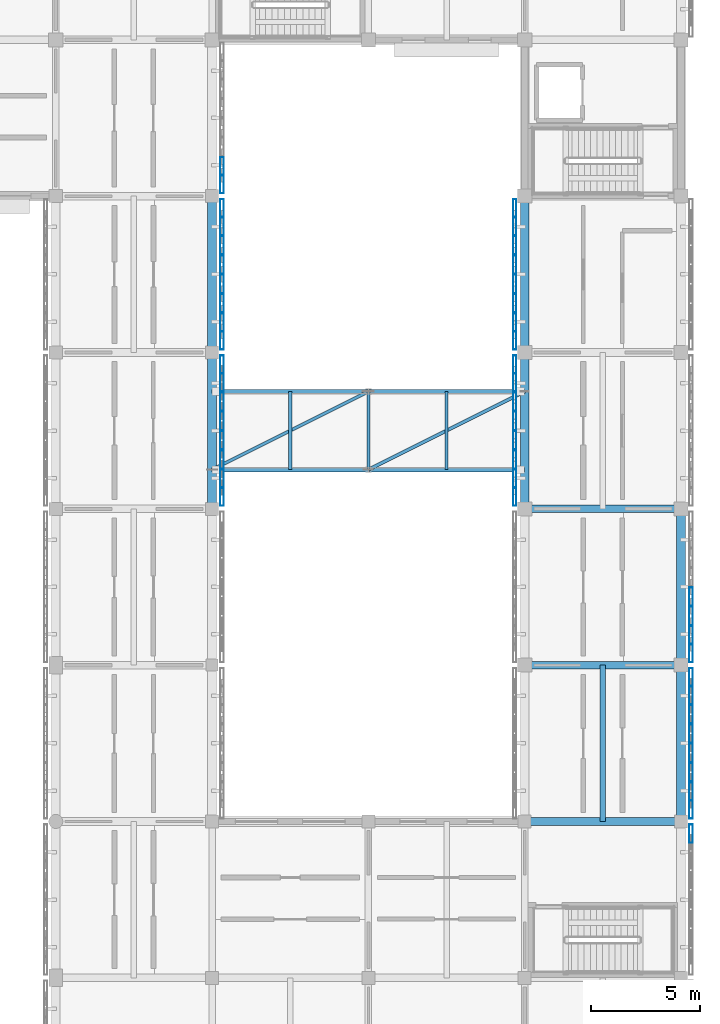
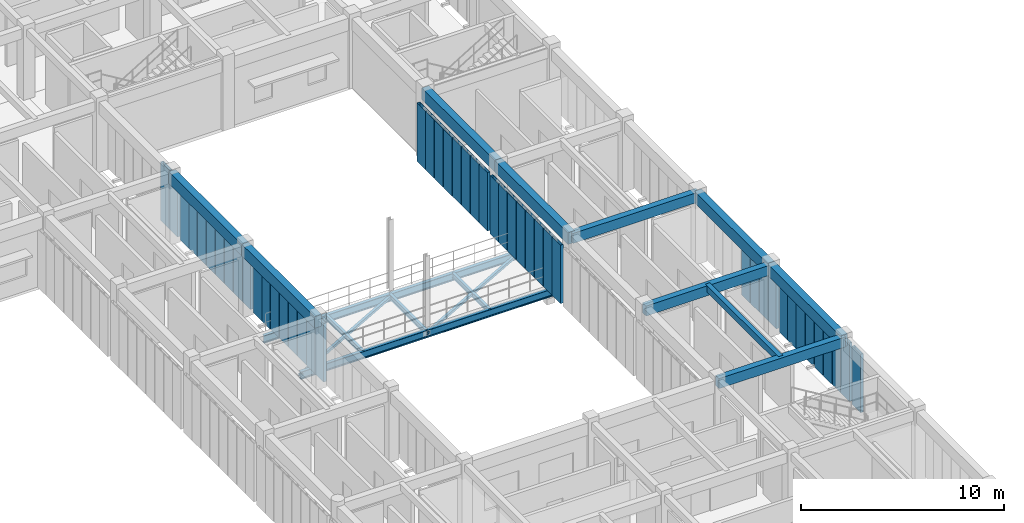
# One storey, part 66 of 171: 49 members, 17 beams, 8 elements without a shape of their own.
"""IFC4 building model written with IfcOpenShell, lengths in metres."""

from ifc_helpers import new_model, si_unit, direction, frame, origin, origin_2d, place, context, subcontext, project, spatial, rectangle, hollow_rectangle, i_section, extrude, material, material_profile, profile_set, type_object, element, aggregate, save


model = new_model("IFC4")

# Units and contexts
model_context = context("Model", 3, precision=1e-05, world=origin(), true_north=direction((0.0, 1.0)))
body_context = subcontext(model_context, "Body", "Model", "MODEL_VIEW")
ifc_project = project(units=[si_unit("LENGTHUNIT", "METRE"), si_unit("AREAUNIT", "SQUARE_METRE"), si_unit("VOLUMEUNIT", "CUBIC_METRE"), si_unit("PLANEANGLEUNIT", "RADIAN"), si_unit("MASSUNIT", "GRAM", prefix="KILO")], contexts=[model_context])

# Site, building, storey
site_placement = place(None, origin())
site = spatial("IfcSite", under=ifc_project, at=site_placement, CompositionType="ELEMENT")
building_placement = place(site_placement, origin())
building = spatial("IfcBuilding", under=site, at=building_placement, Name="Aldebral Square Health Centre", CompositionType="ELEMENT")
storey_placement = place(building_placement, frame((0.0, 0.0, 4.5)))
storey = spatial("IfcBuildingStorey", under=building, at=storey_placement, Name="L01", CompositionType="ELEMENT", Elevation=4.5)

# Beams
ifc_material_1 = material(Name="Concrete C40/50", Category="concrete")
ifc_material_profile_1 = material_profile(ifc_material_1, rectangle(XDim=0.35009765625, YDim=0.60009765625, at=origin_2d()), Name="RC 350x600")
ifc_profile_set_1 = profile_set([ifc_material_profile_1], Name="Concrete C40/50")
beam_type_1 = type_object("IfcBeamType", Name="BM-B2", PredefinedType="BEAM", material=ifc_profile_set_1)
for number, where, z_axis, x_axis, name in (
    (1, (158.39990234375, 64.800048828125, 3.919921875), (1.0, 0.0, 0.0), (0.0, 1.0, 0.0), "L01 X-beam 23-24/G10"),
    (2, (158.39990234375, 72.0, 3.919921875), (1.0, 0.0, 0.0), (0.0, 1.0, 0.0), "L01 X-beam 23-24/G11"),
    (3, (158.39990234375, 79.199951171875, 3.919921875), (1.0, 0.0, 0.0), (0.0, 1.0, 0.0), "L01 X-beam 23-24/G12"),
):
    element("IfcBeam", number, at=place(storey_placement, frame(where, z_axis=z_axis, x_axis=x_axis)), inside=storey, type_object=beam_type_1, Name=name, PredefinedType="BEAM", context=body_context, shape_type="SweptSolid", body=[
        extrude(rectangle(XDim=0.35009765625, YDim=0.60009765625, at=origin_2d()), origin(), (0.0, 0.0, 1.0), 7.2001953125),
    ])
ifc_material_profile_2 = material_profile(ifc_material_1, rectangle(XDim=0.25, YDim=0.39990234375, at=origin_2d()), Name="RC 250x400")
ifc_profile_set_2 = profile_set([ifc_material_profile_2], Name="Concrete C40/50")
beam_type_2 = type_object("IfcBeamType", Name="BM-B6", PredefinedType="JOIST", material=ifc_profile_set_2)
beam_1_placement = place(storey_placement, frame((162.0, 64.800048828125, 4.02001953125), z_axis=(0.0, 1.0, 0.0), x_axis=(-1.0, 0.0, 0.0)))
element("IfcBeam", 4, at=beam_1_placement, inside=storey, type_object=beam_type_2, Name="L01 secondary rib 23.10", PredefinedType="JOIST", context=body_context, shape_type="SweptSolid", body=[
    extrude(rectangle(XDim=0.25, YDim=0.39990234375, at=origin_2d()), origin(), (0.0, 0.0, 1.0), 7.199951171875),
])
ifc_material_profile_3 = material_profile(ifc_material_1, rectangle(XDim=0.39990234375, YDim=0.699951171875, at=origin_2d()), Name="RC 400x700")
ifc_profile_set_3 = profile_set([ifc_material_profile_3], Name="Concrete C40/50")
beam_type_3 = type_object("IfcBeamType", Name="BM-G3", PredefinedType="T_BEAM", material=ifc_profile_set_3)
beam_2_placement = place(storey_placement, frame((144.0, 79.199951171875, 3.8701171875), z_axis=(0.0, 1.0, 0.0), x_axis=(-1.0, 0.0, 0.0)))
element("IfcBeam", 5, at=beam_2_placement, inside=storey, type_object=beam_type_3, Name="L01 Y-beam G21/12-13", PredefinedType="T_BEAM", context=body_context, shape_type="SweptSolid", body=[
    extrude(rectangle(XDim=0.39990234375, YDim=0.699951171875, at=origin_2d()), origin(), (0.0, 0.0, 1.0), 7.199951171875),
])
beam_3_placement = place(storey_placement, frame((144.0, 86.39990234375, 3.8701171875), z_axis=(0.0, 1.0, 0.0), x_axis=(-1.0, 0.0, 0.0)))
element("IfcBeam", 6, at=beam_3_placement, inside=storey, type_object=beam_type_3, Name="L01 Y-beam G21/13-14", PredefinedType="T_BEAM", context=body_context, shape_type="SweptSolid", body=[
    extrude(rectangle(XDim=0.39990234375, YDim=0.699951171875, at=origin_2d()), origin(), (0.0, 0.0, 1.0), 7.2001953125),
])
beam_4_placement = place(storey_placement, frame((158.39990234375, 79.199951171875, 3.8701171875), z_axis=(0.0, 1.0, 0.0), x_axis=(-1.0, 0.0, 0.0)))
element("IfcBeam", 7, at=beam_4_placement, inside=storey, type_object=beam_type_3, Name="L01 Y-beam G23/12-13", PredefinedType="T_BEAM", context=body_context, shape_type="SweptSolid", body=[
    extrude(rectangle(XDim=0.39990234375, YDim=0.699951171875, at=origin_2d()), origin(), (0.0, 0.0, 1.0), 7.199951171875),
])
beam_5_placement = place(storey_placement, frame((158.39990234375, 86.39990234375, 3.8701171875), z_axis=(0.0, 1.0, 0.0), x_axis=(-1.0, 0.0, 0.0)))
element("IfcBeam", 8, at=beam_5_placement, inside=storey, type_object=beam_type_3, Name="L01 Y-beam G23/13-14", PredefinedType="T_BEAM", context=body_context, shape_type="SweptSolid", body=[
    extrude(rectangle(XDim=0.39990234375, YDim=0.699951171875, at=origin_2d()), origin(), (0.0, 0.0, 1.0), 7.2001953125),
])
for number, where, z_axis, x_axis, name in (
    (9, (165.60009765625, 64.800048828125, 3.8701171875), (0.0, 1.0, 0.0), (-1.0, 0.0, 0.0), "L01 Y-beam G24/10-11"),
    (10, (165.60009765625, 72.0, 3.8701171875), (0.0, 1.0, 0.0), (-1.0, 0.0, 0.0), "L01 Y-beam G24/11-12"),
):
    element("IfcBeam", number, at=place(storey_placement, frame(where, z_axis=z_axis, x_axis=x_axis)), inside=storey, type_object=beam_type_3, Name=name, PredefinedType="T_BEAM", context=body_context, shape_type="SweptSolid", body=[
        extrude(rectangle(XDim=0.39990234375, YDim=0.699951171875, at=origin_2d()), origin(), (0.0, 0.0, 1.0), 7.199951171875),
    ])
ifc_material_2 = material(Name="Steel S355JR", Category="steel")
ifc_material_profile_4 = material_profile(ifc_material_2, i_section(OverallWidth=0.18994140625, OverallDepth=0.449951171875, WebThickness=0.009521484375, FlangeThickness=0.0146484375, FilletRadius=0.02099609375, at=origin_2d()), Name="IPE 450")
ifc_profile_set_4 = profile_set([ifc_material_profile_4], Name="Steel S355JR")
beam_type_4 = type_object("IfcBeamType", Name="BM-ST1", PredefinedType="T_BEAM", material=ifc_profile_set_4)
for number, where, z_axis, x_axis, name in (
    (11, (144.0, 81.0, -0.445068359375), (1.0, 0.0, 0.0), (0.0, 1.0, 0.0), "East Light Court Bridge L01 edge girder 1.1"),
    (12, (151.199951171875, 81.0, -0.445068359375), (1.0, 0.0, 0.0), (0.0, 1.0, 0.0), "East Light Court Bridge L01 edge girder 1.2"),
    (13, (144.0, 84.60009765625, -0.445068359375), (1.0, 0.0, 0.0), (0.0, 1.0, 0.0), "East Light Court Bridge L01 edge girder 2.1"),
    (14, (151.199951171875, 84.60009765625, -0.445068359375), (1.0, 0.0, 0.0), (0.0, 1.0, 0.0), "East Light Court Bridge L01 edge girder 2.2"),
):
    element("IfcBeam", number, at=place(storey_placement, frame(where, z_axis=z_axis, x_axis=x_axis)), inside=storey, type_object=beam_type_4, Name=name, PredefinedType="T_BEAM", context=body_context, shape_type="SweptSolid", body=[
        extrude(i_section(OverallWidth=0.18994140625, OverallDepth=0.449951171875, WebThickness=0.009521484375, FlangeThickness=0.0146484375, FilletRadius=0.02099609375, at=origin_2d()), origin(), (0.0, 0.0, 1.0), 7.199951171875),
    ])
ifc_material_profile_5 = material_profile(ifc_material_2, i_section(OverallWidth=0.14990234375, OverallDepth=0.300048828125, WebThickness=0.007080078125, FlangeThickness=0.0107421875, FilletRadius=0.014892578125, at=origin_2d()), Name="IPE 300")
ifc_profile_set_5 = profile_set([ifc_material_profile_5], Name="Steel S355JR")
beam_type_5 = type_object("IfcBeamType", Name="BM-ST4", PredefinedType="BEAM", material=ifc_profile_set_5)
for number, where, z_axis, x_axis, name in (
    (15, (147.60009765625, 81.0, -0.3701171875), (0.0, 1.0, 0.0), (-1.0, 0.0, 0.0), "East Light Court Bridge L01 cross beam 2"),
    (16, (151.199951171875, 81.0, -0.3701171875), (0.0, 1.0, 0.0), (-1.0, 0.0, 0.0), "East Light Court Bridge L01 cross beam 3"),
    (17, (154.800048828125, 81.0, -0.3701171875), (0.0, 1.0, 0.0), (-1.0, 0.0, 0.0), "East Light Court Bridge L01 cross beam 4"),
):
    element("IfcBeam", number, at=place(storey_placement, frame(where, z_axis=z_axis, x_axis=x_axis)), inside=storey, type_object=beam_type_5, Name=name, PredefinedType="BEAM", context=body_context, shape_type="SweptSolid", body=[
        extrude(i_section(OverallWidth=0.14990234375, OverallDepth=0.300048828125, WebThickness=0.007080078125, FlangeThickness=0.0107421875, FilletRadius=0.014892578125, at=origin_2d()), origin(), (0.0, 0.0, 1.0), 3.60009765625),
    ])

# Curtain wall, members
ifc_material_3 = material(Name="Aluminium and low-E solar glass", Category="aluminium")
curtain_wall_type = type_object("IfcCurtainWallType", Name="CW-FIN-SYS", PredefinedType="USERDEFINED", material=ifc_material_3)
curtain_wall_1_placement = place(storey_placement, origin())
curtain_wall_1 = element("IfcCurtainWall", 18, at=curtain_wall_1_placement, inside=storey, type_object=curtain_wall_type, Name="L01 V5 finned curtain wall L01-V5-19-11-E", ObjectType="SOLAR_CURTAIN_WALL", PredefinedType="USERDEFINED")
ifc_material_4 = material(Name="Sienna-terracotta clad aluminium fin", Category="masonry")
ifc_material_profile_6 = material_profile(ifc_material_4, hollow_rectangle(XDim=0.159912109375, YDim=0.85009765625, WallThickness=0.006103515625, at=origin_2d()), Name="FIN 160x850x6")
ifc_profile_set_6 = profile_set([ifc_material_profile_6], Name="Sienna-terracotta clad aluminium fin")
member_type_1 = type_object("IfcMemberType", Name="CWM-FIN", PredefinedType="MULLION", material=ifc_profile_set_6)
member_1_placement = place(storey_placement, frame((144.4599609375, 79.760009765625, 0.0), z_axis=(0.0, 0.0, 1.0), x_axis=(-1.0, 0.0, 0.0)))
member_1 = element("IfcMember", 19, at=member_1_placement, type_object=member_type_1, Name="CW1 mullion 1", PredefinedType="MULLION", context=body_context, shape_type="SweptSolid", body=[
    extrude(hollow_rectangle(XDim=0.159912109375, YDim=0.85009765625, WallThickness=0.006103515625, at=origin_2d()), origin(), (0.0, 0.0, 1.0), 3.52001953125),
])
member_2_placement = place(storey_placement, frame((144.4599609375, 80.571533203125, 0.0), z_axis=(0.0, 0.0, 1.0), x_axis=(-1.0, 0.0, 0.0)))
member_2 = element("IfcMember", 20, at=member_2_placement, type_object=member_type_1, Name="CW1 mullion 2", PredefinedType="MULLION", context=body_context, shape_type="SweptSolid", body=[
    extrude(hollow_rectangle(XDim=0.159912109375, YDim=0.85009765625, WallThickness=0.006103515625, at=origin_2d()), origin(), (0.0, 0.0, 1.0), 3.52001953125),
])
member_3_placement = place(storey_placement, frame((144.4599609375, 81.462890625, 0.0), z_axis=(0.0, 0.0, 1.0), x_axis=(-1.0, 0.0, 0.0)))
member_3 = element("IfcMember", 21, at=member_3_placement, type_object=member_type_1, Name="CW1 mullion 3", PredefinedType="MULLION", context=body_context, shape_type="SweptSolid", body=[
    extrude(hollow_rectangle(XDim=0.159912109375, YDim=0.85009765625, WallThickness=0.006103515625, at=origin_2d()), origin(), (0.0, 0.0, 1.0), 3.52001953125),
])
member_4_placement = place(storey_placement, frame((144.4599609375, 82.354248046875, 0.0), z_axis=(0.0, 0.0, 1.0), x_axis=(-1.0, 0.0, 0.0)))
member_4 = element("IfcMember", 22, at=member_4_placement, type_object=member_type_1, Name="CW1 mullion 4", PredefinedType="MULLION", context=body_context, shape_type="SweptSolid", body=[
    extrude(hollow_rectangle(XDim=0.159912109375, YDim=0.85009765625, WallThickness=0.006103515625, at=origin_2d()), origin(), (0.0, 0.0, 1.0), 3.52001953125),
])
member_5_placement = place(storey_placement, frame((144.4599609375, 83.24560546875, 0.0), z_axis=(0.0, 0.0, 1.0), x_axis=(-1.0, 0.0, 0.0)))
member_5 = element("IfcMember", 23, at=member_5_placement, type_object=member_type_1, Name="CW1 mullion 5", PredefinedType="MULLION", context=body_context, shape_type="SweptSolid", body=[
    extrude(hollow_rectangle(XDim=0.159912109375, YDim=0.85009765625, WallThickness=0.006103515625, at=origin_2d()), origin(), (0.0, 0.0, 1.0), 3.52001953125),
])
member_6_placement = place(storey_placement, frame((144.4599609375, 84.13720703125, 0.0), z_axis=(0.0, 0.0, 1.0), x_axis=(-1.0, 0.0, 0.0)))
member_6 = element("IfcMember", 24, at=member_6_placement, type_object=member_type_1, Name="CW1 mullion 6", PredefinedType="MULLION", context=body_context, shape_type="SweptSolid", body=[
    extrude(hollow_rectangle(XDim=0.159912109375, YDim=0.85009765625, WallThickness=0.006103515625, at=origin_2d()), origin(), (0.0, 0.0, 1.0), 3.52001953125),
])
member_7_placement = place(storey_placement, frame((144.4599609375, 85.028564453125, 0.0), z_axis=(0.0, 0.0, 1.0), x_axis=(-1.0, 0.0, 0.0)))
member_7 = element("IfcMember", 25, at=member_7_placement, type_object=member_type_1, Name="CW1 mullion 7", PredefinedType="MULLION", context=body_context, shape_type="SweptSolid", body=[
    extrude(hollow_rectangle(XDim=0.159912109375, YDim=0.85009765625, WallThickness=0.006103515625, at=origin_2d()), origin(), (0.0, 0.0, 1.0), 3.52001953125),
])
member_8_placement = place(storey_placement, frame((144.4599609375, 85.840087890625, 0.0), z_axis=(0.0, 0.0, 1.0), x_axis=(-1.0, 0.0, 0.0)))
member_8 = element("IfcMember", 26, at=member_8_placement, type_object=member_type_1, Name="CW1 mullion 8", PredefinedType="MULLION", context=body_context, shape_type="SweptSolid", body=[
    extrude(hollow_rectangle(XDim=0.159912109375, YDim=0.85009765625, WallThickness=0.006103515625, at=origin_2d()), origin(), (0.0, 0.0, 1.0), 3.52001953125),
])
aggregate(curtain_wall_1, [member_1, member_2, member_3, member_4, member_5, member_6, member_7, member_8])

curtain_wall_2_placement = place(storey_placement, origin())
curtain_wall_2 = element("IfcCurtainWall", 27, at=curtain_wall_2_placement, inside=storey, type_object=curtain_wall_type, Name="L01 V5 finned curtain wall L01-V5-19-12-E", ObjectType="SOLAR_CURTAIN_WALL", PredefinedType="USERDEFINED")
member_9_placement = place(storey_placement, frame((144.4599609375, 86.9599609375, 0.0), z_axis=(0.0, 0.0, 1.0), x_axis=(-1.0, 0.0, 0.0)))
member_9 = element("IfcMember", 28, at=member_9_placement, type_object=member_type_1, Name="CW1 mullion 1", PredefinedType="MULLION", context=body_context, shape_type="SweptSolid", body=[
    extrude(hollow_rectangle(XDim=0.159912109375, YDim=0.85009765625, WallThickness=0.006103515625, at=origin_2d()), origin(), (0.0, 0.0, 1.0), 3.52001953125),
])
member_10_placement = place(storey_placement, frame((144.4599609375, 87.771484375, 0.0), z_axis=(0.0, 0.0, 1.0), x_axis=(-1.0, 0.0, 0.0)))
member_10 = element("IfcMember", 29, at=member_10_placement, type_object=member_type_1, Name="CW1 mullion 2", PredefinedType="MULLION", context=body_context, shape_type="SweptSolid", body=[
    extrude(hollow_rectangle(XDim=0.159912109375, YDim=0.85009765625, WallThickness=0.006103515625, at=origin_2d()), origin(), (0.0, 0.0, 1.0), 3.52001953125),
])
member_11_placement = place(storey_placement, frame((144.4599609375, 88.662841796875, 0.0), z_axis=(0.0, 0.0, 1.0), x_axis=(-1.0, 0.0, 0.0)))
member_11 = element("IfcMember", 30, at=member_11_placement, type_object=member_type_1, Name="CW1 mullion 3", PredefinedType="MULLION", context=body_context, shape_type="SweptSolid", body=[
    extrude(hollow_rectangle(XDim=0.159912109375, YDim=0.85009765625, WallThickness=0.006103515625, at=origin_2d()), origin(), (0.0, 0.0, 1.0), 3.52001953125),
])
member_12_placement = place(storey_placement, frame((144.4599609375, 89.55419921875, 0.0), z_axis=(0.0, 0.0, 1.0), x_axis=(-1.0, 0.0, 0.0)))
member_12 = element("IfcMember", 31, at=member_12_placement, type_object=member_type_1, Name="CW1 mullion 4", PredefinedType="MULLION", context=body_context, shape_type="SweptSolid", body=[
    extrude(hollow_rectangle(XDim=0.159912109375, YDim=0.85009765625, WallThickness=0.006103515625, at=origin_2d()), origin(), (0.0, 0.0, 1.0), 3.52001953125),
])
member_13_placement = place(storey_placement, frame((144.4599609375, 90.44580078125, 0.0), z_axis=(0.0, 0.0, 1.0), x_axis=(-1.0, 0.0, 0.0)))
member_13 = element("IfcMember", 32, at=member_13_placement, type_object=member_type_1, Name="CW1 mullion 5", PredefinedType="MULLION", context=body_context, shape_type="SweptSolid", body=[
    extrude(hollow_rectangle(XDim=0.159912109375, YDim=0.85009765625, WallThickness=0.006103515625, at=origin_2d()), origin(), (0.0, 0.0, 1.0), 3.52001953125),
])
member_14_placement = place(storey_placement, frame((144.4599609375, 91.337158203125, 0.0), z_axis=(0.0, 0.0, 1.0), x_axis=(-1.0, 0.0, 0.0)))
member_14 = element("IfcMember", 33, at=member_14_placement, type_object=member_type_1, Name="CW1 mullion 6", PredefinedType="MULLION", context=body_context, shape_type="SweptSolid", body=[
    extrude(hollow_rectangle(XDim=0.159912109375, YDim=0.85009765625, WallThickness=0.006103515625, at=origin_2d()), origin(), (0.0, 0.0, 1.0), 3.52001953125),
])
member_15_placement = place(storey_placement, frame((144.4599609375, 92.228515625, 0.0), z_axis=(0.0, 0.0, 1.0), x_axis=(-1.0, 0.0, 0.0)))
member_15 = element("IfcMember", 34, at=member_15_placement, type_object=member_type_1, Name="CW1 mullion 7", PredefinedType="MULLION", context=body_context, shape_type="SweptSolid", body=[
    extrude(hollow_rectangle(XDim=0.159912109375, YDim=0.85009765625, WallThickness=0.006103515625, at=origin_2d()), origin(), (0.0, 0.0, 1.0), 3.52001953125),
])
member_16_placement = place(storey_placement, frame((144.4599609375, 93.0400390625, 0.0), z_axis=(0.0, 0.0, 1.0), x_axis=(-1.0, 0.0, 0.0)))
member_16 = element("IfcMember", 35, at=member_16_placement, type_object=member_type_1, Name="CW1 mullion 8", PredefinedType="MULLION", context=body_context, shape_type="SweptSolid", body=[
    extrude(hollow_rectangle(XDim=0.159912109375, YDim=0.85009765625, WallThickness=0.006103515625, at=origin_2d()), origin(), (0.0, 0.0, 1.0), 3.52001953125),
])
aggregate(curtain_wall_2, [member_9, member_10, member_11, member_12, member_13, member_14, member_15, member_16])

curtain_wall_3_placement = place(storey_placement, origin())
curtain_wall_3 = element("IfcCurtainWall", 36, at=curtain_wall_3_placement, inside=storey, type_object=curtain_wall_type, Name="L01 V5 finned curtain wall L01-V5-19-13-E", ObjectType="SOLAR_CURTAIN_WALL", PredefinedType="USERDEFINED")
member_17_placement = place(storey_placement, frame((144.4599609375, 94.159912109375, 0.0), z_axis=(0.0, 0.0, 1.0), x_axis=(-1.0, 0.0, 0.0)))
member_17 = element("IfcMember", 37, at=member_17_placement, type_object=member_type_1, Name="CW1 mullion 1", PredefinedType="MULLION", context=body_context, shape_type="SweptSolid", body=[
    extrude(hollow_rectangle(XDim=0.159912109375, YDim=0.85009765625, WallThickness=0.006103515625, at=origin_2d()), origin(), (0.0, 0.0, 1.0), 3.52001953125),
])
member_18_placement = place(storey_placement, frame((144.4599609375, 94.971435546875, 0.0), z_axis=(0.0, 0.0, 1.0), x_axis=(-1.0, 0.0, 0.0)))
member_18 = element("IfcMember", 38, at=member_18_placement, type_object=member_type_1, Name="CW1 mullion 2", PredefinedType="MULLION", context=body_context, shape_type="SweptSolid", body=[
    extrude(hollow_rectangle(XDim=0.159912109375, YDim=0.85009765625, WallThickness=0.006103515625, at=origin_2d()), origin(), (0.0, 0.0, 1.0), 3.52001953125),
])
aggregate(curtain_wall_3, [member_17, member_18])

# Curtain wall, member
curtain_wall_4_placement = place(storey_placement, origin())
curtain_wall_4 = element("IfcCurtainWall", 39, at=curtain_wall_4_placement, inside=storey, type_object=curtain_wall_type, Name="L01 V5 finned curtain wall L01-V5-22-08-E", ObjectType="SOLAR_CURTAIN_WALL", PredefinedType="USERDEFINED")
member_19_placement = place(storey_placement, frame((166.06005859375, 64.239990234375, 0.0), z_axis=(0.0, 0.0, 1.0), x_axis=(-1.0, 0.0, 0.0)))
member_19 = element("IfcMember", 40, at=member_19_placement, type_object=member_type_1, Name="CW1 mullion 8", PredefinedType="MULLION", context=body_context, shape_type="SweptSolid", body=[
    extrude(hollow_rectangle(XDim=0.159912109375, YDim=0.85009765625, WallThickness=0.006103515625, at=origin_2d()), origin(), (0.0, 0.0, 1.0), 3.52001953125),
])
aggregate(curtain_wall_4, [member_19])

# Curtain wall, members
curtain_wall_5_placement = place(storey_placement, origin())
curtain_wall_5 = element("IfcCurtainWall", 41, at=curtain_wall_5_placement, inside=storey, type_object=curtain_wall_type, Name="L01 V5 finned curtain wall L01-V5-22-09-E", ObjectType="SOLAR_CURTAIN_WALL", PredefinedType="USERDEFINED")
member_20_placement = place(storey_placement, frame((166.06005859375, 65.360107421875, 0.0), z_axis=(0.0, 0.0, 1.0), x_axis=(-1.0, 0.0, 0.0)))
member_20 = element("IfcMember", 42, at=member_20_placement, type_object=member_type_1, Name="CW1 mullion 1", PredefinedType="MULLION", context=body_context, shape_type="SweptSolid", body=[
    extrude(hollow_rectangle(XDim=0.159912109375, YDim=0.85009765625, WallThickness=0.006103515625, at=origin_2d()), origin(), (0.0, 0.0, 1.0), 3.52001953125),
])
member_21_placement = place(storey_placement, frame((166.06005859375, 66.17138671875, 0.0), z_axis=(0.0, 0.0, 1.0), x_axis=(-1.0, 0.0, 0.0)))
member_21 = element("IfcMember", 43, at=member_21_placement, type_object=member_type_1, Name="CW1 mullion 2", PredefinedType="MULLION", context=body_context, shape_type="SweptSolid", body=[
    extrude(hollow_rectangle(XDim=0.159912109375, YDim=0.85009765625, WallThickness=0.006103515625, at=origin_2d()), origin(), (0.0, 0.0, 1.0), 3.52001953125),
])
member_22_placement = place(storey_placement, frame((166.06005859375, 67.062744140625, 0.0), z_axis=(0.0, 0.0, 1.0), x_axis=(-1.0, 0.0, 0.0)))
member_22 = element("IfcMember", 44, at=member_22_placement, type_object=member_type_1, Name="CW1 mullion 3", PredefinedType="MULLION", context=body_context, shape_type="SweptSolid", body=[
    extrude(hollow_rectangle(XDim=0.159912109375, YDim=0.85009765625, WallThickness=0.006103515625, at=origin_2d()), origin(), (0.0, 0.0, 1.0), 3.52001953125),
])
member_23_placement = place(storey_placement, frame((166.06005859375, 67.954345703125, 0.0), z_axis=(0.0, 0.0, 1.0), x_axis=(-1.0, 0.0, 0.0)))
member_23 = element("IfcMember", 45, at=member_23_placement, type_object=member_type_1, Name="CW1 mullion 4", PredefinedType="MULLION", context=body_context, shape_type="SweptSolid", body=[
    extrude(hollow_rectangle(XDim=0.159912109375, YDim=0.85009765625, WallThickness=0.006103515625, at=origin_2d()), origin(), (0.0, 0.0, 1.0), 3.52001953125),
])
member_24_placement = place(storey_placement, frame((166.06005859375, 68.845703125, 0.0), z_axis=(0.0, 0.0, 1.0), x_axis=(-1.0, 0.0, 0.0)))
member_24 = element("IfcMember", 46, at=member_24_placement, type_object=member_type_1, Name="CW1 mullion 5", PredefinedType="MULLION", context=body_context, shape_type="SweptSolid", body=[
    extrude(hollow_rectangle(XDim=0.159912109375, YDim=0.85009765625, WallThickness=0.006103515625, at=origin_2d()), origin(), (0.0, 0.0, 1.0), 3.52001953125),
])
member_25_placement = place(storey_placement, frame((166.06005859375, 69.737060546875, 0.0), z_axis=(0.0, 0.0, 1.0), x_axis=(-1.0, 0.0, 0.0)))
member_25 = element("IfcMember", 47, at=member_25_placement, type_object=member_type_1, Name="CW1 mullion 6", PredefinedType="MULLION", context=body_context, shape_type="SweptSolid", body=[
    extrude(hollow_rectangle(XDim=0.159912109375, YDim=0.85009765625, WallThickness=0.006103515625, at=origin_2d()), origin(), (0.0, 0.0, 1.0), 3.52001953125),
])
member_26_placement = place(storey_placement, frame((166.06005859375, 70.628662109375, 0.0), z_axis=(0.0, 0.0, 1.0), x_axis=(-1.0, 0.0, 0.0)))
member_26 = element("IfcMember", 48, at=member_26_placement, type_object=member_type_1, Name="CW1 mullion 7", PredefinedType="MULLION", context=body_context, shape_type="SweptSolid", body=[
    extrude(hollow_rectangle(XDim=0.159912109375, YDim=0.85009765625, WallThickness=0.006103515625, at=origin_2d()), origin(), (0.0, 0.0, 1.0), 3.52001953125),
])
member_27_placement = place(storey_placement, frame((166.06005859375, 71.43994140625, 0.0), z_axis=(0.0, 0.0, 1.0), x_axis=(-1.0, 0.0, 0.0)))
member_27 = element("IfcMember", 49, at=member_27_placement, type_object=member_type_1, Name="CW1 mullion 8", PredefinedType="MULLION", context=body_context, shape_type="SweptSolid", body=[
    extrude(hollow_rectangle(XDim=0.159912109375, YDim=0.85009765625, WallThickness=0.006103515625, at=origin_2d()), origin(), (0.0, 0.0, 1.0), 3.52001953125),
])
aggregate(curtain_wall_5, [member_20, member_21, member_22, member_23, member_24, member_25, member_26, member_27])

curtain_wall_6_placement = place(storey_placement, origin())
curtain_wall_6 = element("IfcCurtainWall", 50, at=curtain_wall_6_placement, inside=storey, type_object=curtain_wall_type, Name="L01 V5 finned curtain wall L01-V5-22-10-E", ObjectType="SOLAR_CURTAIN_WALL", PredefinedType="USERDEFINED")
member_28_placement = place(storey_placement, frame((166.06005859375, 72.56005859375, 0.0), z_axis=(0.0, 0.0, 1.0), x_axis=(-1.0, 0.0, 0.0)))
member_28 = element("IfcMember", 51, at=member_28_placement, type_object=member_type_1, Name="CW1 mullion 1", PredefinedType="MULLION", context=body_context, shape_type="SweptSolid", body=[
    extrude(hollow_rectangle(XDim=0.159912109375, YDim=0.85009765625, WallThickness=0.006103515625, at=origin_2d()), origin(), (0.0, 0.0, 1.0), 3.52001953125),
])
member_29_placement = place(storey_placement, frame((166.06005859375, 73.371337890625, 0.0), z_axis=(0.0, 0.0, 1.0), x_axis=(-1.0, 0.0, 0.0)))
member_29 = element("IfcMember", 52, at=member_29_placement, type_object=member_type_1, Name="CW1 mullion 2", PredefinedType="MULLION", context=body_context, shape_type="SweptSolid", body=[
    extrude(hollow_rectangle(XDim=0.159912109375, YDim=0.85009765625, WallThickness=0.006103515625, at=origin_2d()), origin(), (0.0, 0.0, 1.0), 3.52001953125),
])
member_30_placement = place(storey_placement, frame((166.06005859375, 74.262939453125, 0.0), z_axis=(0.0, 0.0, 1.0), x_axis=(-1.0, 0.0, 0.0)))
member_30 = element("IfcMember", 53, at=member_30_placement, type_object=member_type_1, Name="CW1 mullion 3", PredefinedType="MULLION", context=body_context, shape_type="SweptSolid", body=[
    extrude(hollow_rectangle(XDim=0.159912109375, YDim=0.85009765625, WallThickness=0.006103515625, at=origin_2d()), origin(), (0.0, 0.0, 1.0), 3.52001953125),
])
member_31_placement = place(storey_placement, frame((166.06005859375, 75.154296875, 0.0), z_axis=(0.0, 0.0, 1.0), x_axis=(-1.0, 0.0, 0.0)))
member_31 = element("IfcMember", 54, at=member_31_placement, type_object=member_type_1, Name="CW1 mullion 4", PredefinedType="MULLION", context=body_context, shape_type="SweptSolid", body=[
    extrude(hollow_rectangle(XDim=0.159912109375, YDim=0.85009765625, WallThickness=0.006103515625, at=origin_2d()), origin(), (0.0, 0.0, 1.0), 3.52001953125),
])
aggregate(curtain_wall_6, [member_28, member_29, member_30, member_31])

curtain_wall_7_placement = place(storey_placement, origin())
curtain_wall_7 = element("IfcCurtainWall", 55, at=curtain_wall_7_placement, inside=storey, type_object=curtain_wall_type, Name="L01 V5 finned curtain wall L01-V5-22-11-W", ObjectType="SOLAR_CURTAIN_WALL", PredefinedType="USERDEFINED")
member_32_placement = place(storey_placement, frame((157.93994140625, 85.840087890625, 0.0), z_axis=(0.0, 0.0, 1.0), x_axis=(1.0, 0.0, 0.0)))
member_32 = element("IfcMember", 56, at=member_32_placement, type_object=member_type_1, Name="CW1 mullion 1", PredefinedType="MULLION", context=body_context, shape_type="SweptSolid", body=[
    extrude(hollow_rectangle(XDim=0.159912109375, YDim=0.85009765625, WallThickness=0.006103515625, at=origin_2d()), origin(), (0.0, 0.0, 1.0), 3.52001953125),
])
member_33_placement = place(storey_placement, frame((157.93994140625, 85.028564453125, 0.0), z_axis=(0.0, 0.0, 1.0), x_axis=(1.0, 0.0, 0.0)))
member_33 = element("IfcMember", 57, at=member_33_placement, type_object=member_type_1, Name="CW1 mullion 2", PredefinedType="MULLION", context=body_context, shape_type="SweptSolid", body=[
    extrude(hollow_rectangle(XDim=0.159912109375, YDim=0.85009765625, WallThickness=0.006103515625, at=origin_2d()), origin(), (0.0, 0.0, 1.0), 3.52001953125),
])
member_34_placement = place(storey_placement, frame((157.93994140625, 84.13720703125, 0.0), z_axis=(0.0, 0.0, 1.0), x_axis=(1.0, 0.0, 0.0)))
member_34 = element("IfcMember", 58, at=member_34_placement, type_object=member_type_1, Name="CW1 mullion 3", PredefinedType="MULLION", context=body_context, shape_type="SweptSolid", body=[
    extrude(hollow_rectangle(XDim=0.159912109375, YDim=0.85009765625, WallThickness=0.006103515625, at=origin_2d()), origin(), (0.0, 0.0, 1.0), 3.52001953125),
])
member_35_placement = place(storey_placement, frame((157.93994140625, 83.24560546875, 0.0), z_axis=(0.0, 0.0, 1.0), x_axis=(1.0, 0.0, 0.0)))
member_35 = element("IfcMember", 59, at=member_35_placement, type_object=member_type_1, Name="CW1 mullion 4", PredefinedType="MULLION", context=body_context, shape_type="SweptSolid", body=[
    extrude(hollow_rectangle(XDim=0.159912109375, YDim=0.85009765625, WallThickness=0.006103515625, at=origin_2d()), origin(), (0.0, 0.0, 1.0), 3.52001953125),
])
member_36_placement = place(storey_placement, frame((157.93994140625, 82.354248046875, 0.0), z_axis=(0.0, 0.0, 1.0), x_axis=(1.0, 0.0, 0.0)))
member_36 = element("IfcMember", 60, at=member_36_placement, type_object=member_type_1, Name="CW1 mullion 5", PredefinedType="MULLION", context=body_context, shape_type="SweptSolid", body=[
    extrude(hollow_rectangle(XDim=0.159912109375, YDim=0.85009765625, WallThickness=0.006103515625, at=origin_2d()), origin(), (0.0, 0.0, 1.0), 3.52001953125),
])
member_37_placement = place(storey_placement, frame((157.93994140625, 81.462890625, 0.0), z_axis=(0.0, 0.0, 1.0), x_axis=(1.0, 0.0, 0.0)))
member_37 = element("IfcMember", 61, at=member_37_placement, type_object=member_type_1, Name="CW1 mullion 6", PredefinedType="MULLION", context=body_context, shape_type="SweptSolid", body=[
    extrude(hollow_rectangle(XDim=0.159912109375, YDim=0.85009765625, WallThickness=0.006103515625, at=origin_2d()), origin(), (0.0, 0.0, 1.0), 3.52001953125),
])
member_38_placement = place(storey_placement, frame((157.93994140625, 80.571533203125, 0.0), z_axis=(0.0, 0.0, 1.0), x_axis=(1.0, 0.0, 0.0)))
member_38 = element("IfcMember", 62, at=member_38_placement, type_object=member_type_1, Name="CW1 mullion 7", PredefinedType="MULLION", context=body_context, shape_type="SweptSolid", body=[
    extrude(hollow_rectangle(XDim=0.159912109375, YDim=0.85009765625, WallThickness=0.006103515625, at=origin_2d()), origin(), (0.0, 0.0, 1.0), 3.52001953125),
])
member_39_placement = place(storey_placement, frame((157.93994140625, 79.760009765625, 0.0), z_axis=(0.0, 0.0, 1.0), x_axis=(1.0, 0.0, 0.0)))
member_39 = element("IfcMember", 63, at=member_39_placement, type_object=member_type_1, Name="CW1 mullion 8", PredefinedType="MULLION", context=body_context, shape_type="SweptSolid", body=[
    extrude(hollow_rectangle(XDim=0.159912109375, YDim=0.85009765625, WallThickness=0.006103515625, at=origin_2d()), origin(), (0.0, 0.0, 1.0), 3.52001953125),
])
aggregate(curtain_wall_7, [member_32, member_33, member_34, member_35, member_36, member_37, member_38, member_39])

curtain_wall_8_placement = place(storey_placement, origin())
curtain_wall_8 = element("IfcCurtainWall", 64, at=curtain_wall_8_placement, inside=storey, type_object=curtain_wall_type, Name="L01 V5 finned curtain wall L01-V5-22-12-W", ObjectType="SOLAR_CURTAIN_WALL", PredefinedType="USERDEFINED")
member_40_placement = place(storey_placement, frame((157.93994140625, 93.0400390625, 0.0), z_axis=(0.0, 0.0, 1.0), x_axis=(1.0, 0.0, 0.0)))
member_40 = element("IfcMember", 65, at=member_40_placement, type_object=member_type_1, Name="CW1 mullion 1", PredefinedType="MULLION", context=body_context, shape_type="SweptSolid", body=[
    extrude(hollow_rectangle(XDim=0.159912109375, YDim=0.85009765625, WallThickness=0.006103515625, at=origin_2d()), origin(), (0.0, 0.0, 1.0), 3.52001953125),
])
member_41_placement = place(storey_placement, frame((157.93994140625, 92.228515625, 0.0), z_axis=(0.0, 0.0, 1.0), x_axis=(1.0, 0.0, 0.0)))
member_41 = element("IfcMember", 66, at=member_41_placement, type_object=member_type_1, Name="CW1 mullion 2", PredefinedType="MULLION", context=body_context, shape_type="SweptSolid", body=[
    extrude(hollow_rectangle(XDim=0.159912109375, YDim=0.85009765625, WallThickness=0.006103515625, at=origin_2d()), origin(), (0.0, 0.0, 1.0), 3.52001953125),
])
member_42_placement = place(storey_placement, frame((157.93994140625, 91.337158203125, 0.0), z_axis=(0.0, 0.0, 1.0), x_axis=(1.0, 0.0, 0.0)))
member_42 = element("IfcMember", 67, at=member_42_placement, type_object=member_type_1, Name="CW1 mullion 3", PredefinedType="MULLION", context=body_context, shape_type="SweptSolid", body=[
    extrude(hollow_rectangle(XDim=0.159912109375, YDim=0.85009765625, WallThickness=0.006103515625, at=origin_2d()), origin(), (0.0, 0.0, 1.0), 3.52001953125),
])
member_43_placement = place(storey_placement, frame((157.93994140625, 90.44580078125, 0.0), z_axis=(0.0, 0.0, 1.0), x_axis=(1.0, 0.0, 0.0)))
member_43 = element("IfcMember", 68, at=member_43_placement, type_object=member_type_1, Name="CW1 mullion 4", PredefinedType="MULLION", context=body_context, shape_type="SweptSolid", body=[
    extrude(hollow_rectangle(XDim=0.159912109375, YDim=0.85009765625, WallThickness=0.006103515625, at=origin_2d()), origin(), (0.0, 0.0, 1.0), 3.52001953125),
])
member_44_placement = place(storey_placement, frame((157.93994140625, 89.55419921875, 0.0), z_axis=(0.0, 0.0, 1.0), x_axis=(1.0, 0.0, 0.0)))
member_44 = element("IfcMember", 69, at=member_44_placement, type_object=member_type_1, Name="CW1 mullion 5", PredefinedType="MULLION", context=body_context, shape_type="SweptSolid", body=[
    extrude(hollow_rectangle(XDim=0.159912109375, YDim=0.85009765625, WallThickness=0.006103515625, at=origin_2d()), origin(), (0.0, 0.0, 1.0), 3.52001953125),
])
member_45_placement = place(storey_placement, frame((157.93994140625, 88.662841796875, 0.0), z_axis=(0.0, 0.0, 1.0), x_axis=(1.0, 0.0, 0.0)))
member_45 = element("IfcMember", 70, at=member_45_placement, type_object=member_type_1, Name="CW1 mullion 6", PredefinedType="MULLION", context=body_context, shape_type="SweptSolid", body=[
    extrude(hollow_rectangle(XDim=0.159912109375, YDim=0.85009765625, WallThickness=0.006103515625, at=origin_2d()), origin(), (0.0, 0.0, 1.0), 3.52001953125),
])
member_46_placement = place(storey_placement, frame((157.93994140625, 87.771484375, 0.0), z_axis=(0.0, 0.0, 1.0), x_axis=(1.0, 0.0, 0.0)))
member_46 = element("IfcMember", 71, at=member_46_placement, type_object=member_type_1, Name="CW1 mullion 7", PredefinedType="MULLION", context=body_context, shape_type="SweptSolid", body=[
    extrude(hollow_rectangle(XDim=0.159912109375, YDim=0.85009765625, WallThickness=0.006103515625, at=origin_2d()), origin(), (0.0, 0.0, 1.0), 3.52001953125),
])
member_47_placement = place(storey_placement, frame((157.93994140625, 86.9599609375, 0.0), z_axis=(0.0, 0.0, 1.0), x_axis=(1.0, 0.0, 0.0)))
member_47 = element("IfcMember", 72, at=member_47_placement, type_object=member_type_1, Name="CW1 mullion 8", PredefinedType="MULLION", context=body_context, shape_type="SweptSolid", body=[
    extrude(hollow_rectangle(XDim=0.159912109375, YDim=0.85009765625, WallThickness=0.006103515625, at=origin_2d()), origin(), (0.0, 0.0, 1.0), 3.52001953125),
])
aggregate(curtain_wall_8, [member_40, member_41, member_42, member_43, member_44, member_45, member_46, member_47])

# Members
ifc_material_profile_7 = material_profile(ifc_material_2, hollow_rectangle(XDim=0.14990234375, YDim=0.14990234375, WallThickness=0.008056640625, at=origin_2d()), Name="150x150x8 SHS")
ifc_profile_set_7 = profile_set([ifc_material_profile_7], Name="Steel S355JR")
member_type_2 = type_object("IfcMemberType", Name="MEM-BR2", PredefinedType="BRACE", material=ifc_profile_set_7)
for number, where, z_axis, x_axis, name in (
    (73, (144.0, 81.0, -0.445068359375), (0.894421125195, 0.447225726904, 0.0), (-0.447225726904, 0.894421125195, 0.0), "East Light Court Bridge L01 plan brace 1"),
    (74, (151.199951171875, 81.0, -0.445068359375), (0.894421125195, 0.447225726904, 0.0), (-0.447225726904, 0.894421125195, 0.0), "East Light Court Bridge L01 plan brace 2"),
):
    element("IfcMember", number, at=place(storey_placement, frame(where, z_axis=z_axis, x_axis=x_axis)), inside=storey, type_object=member_type_2, Name=name, PredefinedType="BRACE", context=body_context, shape_type="SweptSolid", body=[
        extrude(hollow_rectangle(XDim=0.14990234375, YDim=0.14990234375, WallThickness=0.008056640625, at=origin_2d()), origin(), (0.0, 0.0, 1.0), 8.0498046875),
    ])

save(model, "model.ifc")
